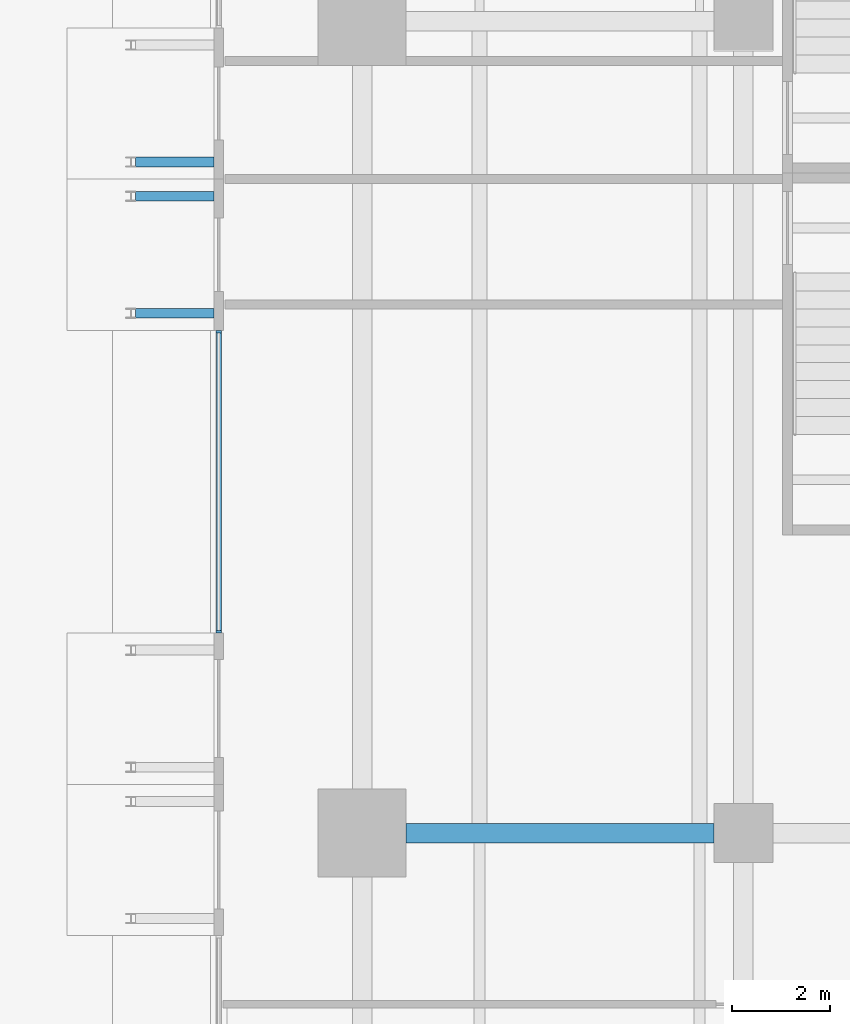
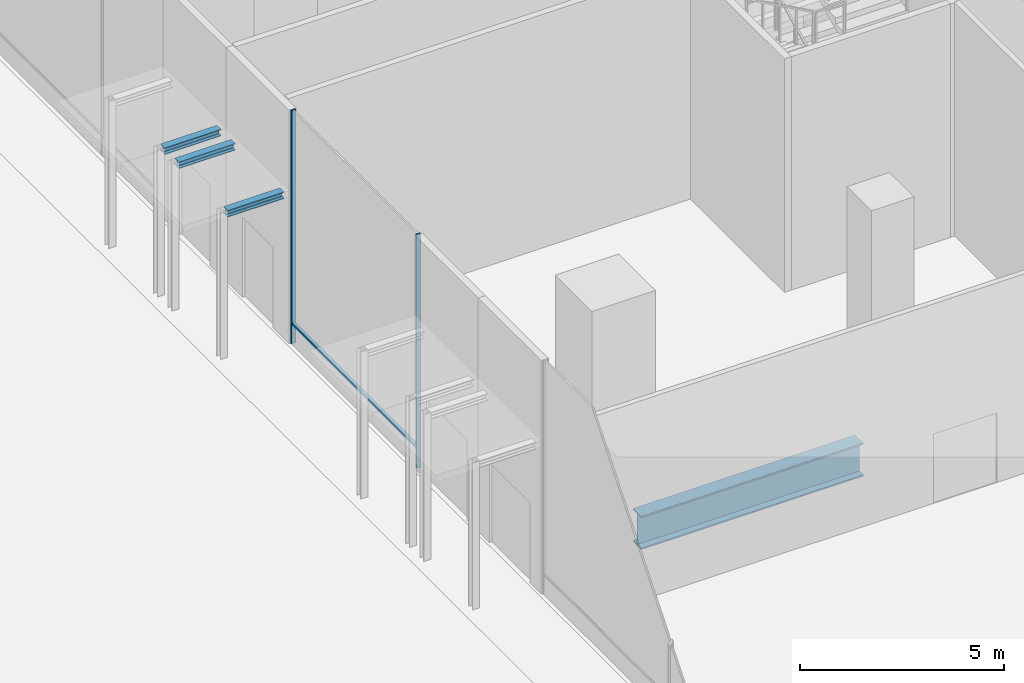
# One storey, part 16 of 41: 4 beams, 3 members, 1 element without a shape of its own.
"""IFC4 building model written with IfcOpenShell, lengths in metres."""

import ifcopenshell
import ifcopenshell.guid

model = None  # the IFC model being written
_history = None  # IfcOwnerHistory: only IFC2X3 demands one
_inside = {}  # id of a spatial element -> (the spatial element, [elements in it])
_under = {}  # id of a project, library or spatial element -> (it, [spatial elements below it])
_declared = {}  # id of a project -> (the project, [libraries it declares])
_typed = {}  # id of a type object -> (the type object, [elements of that type])
_made_of = {}  # id of a material, layer set ... -> (it, [elements and type objects made of it])


def new_model(schema):
    """Start an empty IFC model of exactly this schema.

    Asked for "IFC4X3", IfcOpenShell would pick the latest addendum, in which some entities
    have other attributes; the version numbers below select the first issue.
    IFC2X3 requires an IfcOwnerHistory on every rooted entity: one is made here for all.
    """
    global model, _history
    if schema == "IFC4X3":
        model = ifcopenshell.file(schema_version=(4, 3, 0, 0))
    else:
        model = ifcopenshell.file(schema=schema)
    _inside.clear()
    _under.clear()
    _declared.clear()
    _typed.clear()
    _made_of.clear()
    _history = None
    if model.schema == "IFC2X3":
        org = make("IfcOrganization", Name="unknown")
        user = make(
            "IfcPersonAndOrganization",
            ThePerson=make("IfcPerson", FamilyName="unknown"),
            TheOrganization=org,
        )
        app = make(
            "IfcApplication",
            ApplicationDeveloper=org,
            Version="unknown",
            ApplicationFullName="unknown",
            ApplicationIdentifier="unknown",
        )
        _history = make(
            "IfcOwnerHistory",
            OwningUser=user,
            OwningApplication=app,
            ChangeAction="ADDED",
            CreationDate=0,
        )
    return model


def make(cls, **values):
    """One entity of the class cls with the attributes given. An attribute that is None is left unset."""
    return model.create_entity(
        cls, **{name: value for name, value in values.items() if value is not None}
    )


def rooted(cls, **values):
    """An entity with a GlobalId (a new one), such as an element, a storey or a relation."""
    return make(cls, GlobalId=ifcopenshell.guid.new(), OwnerHistory=_history, **values)


def si_unit(unit_type, name, prefix=None):
    """IfcSIUnit, for example si_unit("LENGTHUNIT", "METRE", prefix="MILLI")."""
    return make("IfcSIUnit", UnitType=unit_type, Prefix=prefix, Name=name)


def assignment(units):
    """IfcUnitAssignment: the units of a project."""
    return None if units is None else make("IfcUnitAssignment", Units=units)


def point(xyz):
    """IfcCartesianPoint."""
    return None if xyz is None else make("IfcCartesianPoint", Coordinates=xyz)


def direction(xyz):
    """IfcDirection."""
    return None if xyz is None else make("IfcDirection", DirectionRatios=xyz)


def frame(location, z_axis=None, x_axis=None):
    """IfcAxis2Placement3D, a coordinate frame: its origin and axes. An axis left out is left unset."""
    return make(
        "IfcAxis2Placement3D",
        Location=point(location),
        Axis=direction(z_axis),
        RefDirection=direction(x_axis),
    )


def frame_2d(location, x_axis=None):
    """IfcAxis2Placement2D, a coordinate frame in the plane: its origin and x axis."""
    return make(
        "IfcAxis2Placement2D", Location=point(location), RefDirection=direction(x_axis)
    )


def origin():
    """The frame at (0, 0, 0) with its axes left unset."""
    return frame((0.0, 0.0, 0.0))


def origin_2d():
    """The frame at (0, 0) in the plane with its x axis left unset."""
    return frame_2d((0.0, 0.0))


def place(relative_to, where):
    """IfcLocalPlacement: puts the frame where relative to a parent placement (None: the world)."""
    return make(
        "IfcLocalPlacement", PlacementRelTo=relative_to, RelativePlacement=where
    )


def context(
    kind, dimensions, precision=None, world=None, true_north=None, identifier=None
):
    """IfcGeometricRepresentationContext, for example the 3D "Model" context."""
    return make(
        "IfcGeometricRepresentationContext",
        ContextIdentifier=identifier,
        ContextType=kind,
        CoordinateSpaceDimension=dimensions,
        Precision=precision,
        WorldCoordinateSystem=world,
        TrueNorth=true_north,
    )


def subcontext(parent, identifier, kind, view, scale=None):
    """IfcGeometricRepresentationSubContext, for example "Body" below "Model"."""
    return make(
        "IfcGeometricRepresentationSubContext",
        ContextIdentifier=identifier,
        ContextType=kind,
        ParentContext=parent,
        TargetScale=scale,
        TargetView=view,
    )


def project(units=None, contexts=None):
    """IfcProject with its units and contexts."""
    return rooted(
        "IfcProject",
        Name="project",
        RepresentationContexts=contexts,
        UnitsInContext=assignment(units),
    )


def spatial(cls, under=None, at=None, **own):
    """A site, building, storey or space (cls), placed at a placement, below another one or the project."""
    s = rooted(cls, ObjectPlacement=at, **own)
    if under is not None:
        _under.setdefault(under.id(), (under, []))[1].append(s)
    return s


def profile(cls, at=None, kind="AREA", **sizes):
    """A parametric profile (cls). Its sizes go by their IFC names, for example OverallWidth=200.0."""
    return make(cls, ProfileType=kind, Position=at, **sizes)


def rectangle(**sizes):
    """IfcRectangleProfileDef."""
    return profile("IfcRectangleProfileDef", **sizes)


def i_section(**sizes):
    """IfcIShapeProfileDef."""
    return profile("IfcIShapeProfileDef", **sizes)


def extrude(swept, where, along, depth):
    """IfcExtrudedAreaSolid: the profile swept, set in the frame where, extruded along a direction by depth."""
    return make(
        "IfcExtrudedAreaSolid",
        SweptArea=swept,
        Position=where,
        ExtrudedDirection=direction(along),
        Depth=depth,
    )


def shape(context_of_items, identifier, shape_type, items):
    """IfcShapeRepresentation: the items that make up one representation, for example the "Body"."""
    return make(
        "IfcShapeRepresentation",
        ContextOfItems=context_of_items,
        RepresentationIdentifier=identifier,
        RepresentationType=shape_type,
        Items=items,
    )


def material(Name=None, Category=None):
    """IfcMaterial."""
    return make("IfcMaterial", Name=Name, Category=Category)


def layer(
    of_material, thickness, ventilated=None, Name=None, Category=None, Priority=None
):
    """IfcMaterialLayer: one layer of a wall or slab, of a material (None: an air gap)."""
    return make(
        "IfcMaterialLayer",
        Material=of_material,
        LayerThickness=thickness,
        IsVentilated=ventilated,
        Name=Name,
        Category=Category,
        Priority=Priority,
    )


def layer_set(layers, Name=None):
    """IfcMaterialLayerSet."""
    return make("IfcMaterialLayerSet", MaterialLayers=layers, LayerSetName=Name)


def material_profile(
    of_material, cross_section, Name=None, Category=None, Priority=None
):
    """IfcMaterialProfile: a cross section and its material."""
    return make(
        "IfcMaterialProfile",
        Name=Name,
        Material=of_material,
        Profile=cross_section,
        Priority=Priority,
        Category=Category,
    )


def profile_set(profiles, Name=None, composite=None):
    """IfcMaterialProfileSet."""
    return make(
        "IfcMaterialProfileSet",
        Name=Name,
        MaterialProfiles=profiles,
        CompositeProfile=composite,
    )


def made_of(thing, what):
    """Note that an element or type object is made of a material, layer set ...; save() writes the relation."""
    if what is not None:
        _made_of.setdefault(what.id(), (what, []))[1].append(thing)
    return thing


def type_object(cls, material=None, **own):
    """A type object (cls), such as IfcWallType, which elements share."""
    return made_of(rooted(cls, **own), material)


def element(
    cls,
    number,
    at=None,
    inside=None,
    cuts=None,
    type_object=None,
    material=None,
    context=None,
    identifier="Body",
    shape_type=None,
    held_by="IfcProductDefinitionShape",
    body=None,
    shapes=None,
    **own,
):
    """One element of the class cls, such as IfcWall. Its Tag is "e" and its number.

    at: its placement. inside: the storey or other place that contains it. cuts: it is an
    opening in that element (IfcRelVoidsElement). A single representation is given by context,
    identifier, shape_type and body (its items); several are given by shapes. held_by: the class
    of the entity that holds the representations. save() writes the other relations.
    """
    e = rooted(cls, Tag="e%d" % number, ObjectPlacement=at, **own)
    if body is not None:
        shapes = [shape(context, identifier, shape_type, body)]
    if shapes is not None:
        e.Representation = make(held_by, Representations=shapes)
    if inside is not None:
        _inside.setdefault(inside.id(), (inside, []))[1].append(e)
    if cuts is not None:
        rooted(
            "IfcRelVoidsElement", RelatingBuildingElement=cuts, RelatedOpeningElement=e
        )
    if type_object is not None:
        _typed.setdefault(type_object.id(), (type_object, []))[1].append(e)
    return made_of(e, material)


def aggregate(whole, parts):
    """IfcRelAggregates: a whole, such as a stair, and the parts it consists of."""
    return rooted("IfcRelAggregates", RelatingObject=whole, RelatedObjects=parts)


def save(model, path):
    """Write the relations noted so far, then the file.

    IfcRelAggregates (storeys below a building ...), IfcRelContainedInSpatialStructure (elements
    in a storey), IfcRelDefinesByType, IfcRelAssociatesMaterial and IfcRelDeclares: one each for
    every whole, place, type object, material and project.
    """
    for whole, parts in _under.values():
        aggregate(whole, parts)
    for where, things in _inside.values():
        rooted(
            "IfcRelContainedInSpatialStructure",
            RelatedElements=things,
            RelatingStructure=where,
        )
    for kind, things in _typed.values():
        rooted("IfcRelDefinesByType", RelatedObjects=things, RelatingType=kind)
    for what, things in _made_of.values():
        rooted("IfcRelAssociatesMaterial", RelatedObjects=things, RelatingMaterial=what)
    for by, libraries in _declared.values():
        rooted("IfcRelDeclares", RelatingContext=by, RelatedDefinitions=libraries)
    model.write(path)


model = new_model("IFC4")

# Units and contexts
model_context = context("Model", 3, precision=1e-05, world=origin(), true_north=direction((0.0, 1.0)))
body_context = subcontext(model_context, "Body", "Model", "MODEL_VIEW")
ifc_project = project(units=[si_unit("LENGTHUNIT", "METRE"), si_unit("AREAUNIT", "SQUARE_METRE"), si_unit("VOLUMEUNIT", "CUBIC_METRE"), si_unit("PLANEANGLEUNIT", "RADIAN"), si_unit("MASSUNIT", "GRAM", prefix="KILO")], contexts=[model_context])

# Site, building, storey
site_placement = place(None, origin())
site = spatial("IfcSite", under=ifc_project, at=site_placement, CompositionType="ELEMENT")
building_placement = place(site_placement, origin())
building = spatial("IfcBuilding", under=site, at=building_placement, Name="Rattan Terrace Tower", CompositionType="ELEMENT")
storey_placement = place(building_placement, origin())
storey = spatial("IfcBuildingStorey", under=building, at=storey_placement, Name="L00", CompositionType="ELEMENT", Elevation=0.0)

# Beams
ifc_material_1 = material(Name="Structural steel S355", Category="steel")
ifc_material_profile_1 = material_profile(ifc_material_1, i_section(OverallWidth=0.199951171875, OverallDepth=0.199951171875, WebThickness=0.009033203125, FlangeThickness=0.014892578125, FilletRadius=0.01806640625, at=origin_2d()), Name="HE 200 B")
ifc_profile_set_1 = profile_set([ifc_material_profile_1], Name="Structural steel S355")
beam_type_1 = type_object("IfcBeamType", Name="Canopy beam HE 200 B", PredefinedType="BEAM", material=ifc_profile_set_1)
for number, where, z_axis, x_axis, name in (
    (1, (-36.929931640625, 0.22412109375, 4.300048828125), (-1.0, 0.0, 0.0), (0.0, -1.0, 0.0), "Canopy beam 021b"),
    (2, (-36.929931640625, -0.47607421875, 4.300048828125), (-1.0, 0.0, 0.0), (0.0, -1.0, 0.0), "Canopy beam 026a"),
    (3, (-36.929931640625, -2.8701171875, 4.300048828125), (-1.0, 0.0, 0.0), (0.0, -1.0, 0.0), "Canopy beam 026b"),
):
    element("IfcBeam", number, at=place(storey_placement, frame(where, z_axis=z_axis, x_axis=x_axis)), inside=storey, type_object=beam_type_1, Name=name, PredefinedType="BEAM", context=body_context, shape_type="SweptSolid", body=[
        extrude(i_section(OverallWidth=0.199951171875, OverallDepth=0.199951171875, WebThickness=0.009033203125, FlangeThickness=0.014892578125, FilletRadius=0.01806640625, at=origin_2d()), origin(), (0.0, 0.0, 1.0), 1.60009765625),
    ])
ifc_material_2 = material(Name="Steel S460", Category="steel")
ifc_material_profile_2 = material_profile(ifc_material_2, i_section(OverallWidth=0.39990234375, OverallDepth=1.0, WebThickness=0.01806640625, FlangeThickness=0.044921875, at=origin_2d()), Name="PG 1000x400-18-45")
ifc_profile_set_2 = profile_set([ifc_material_profile_2], Name="Steel S460")
beam_type_2 = type_object("IfcBeamType", Name="Frame podium girder PG 1000x400-18-45", PredefinedType="USERDEFINED", material=ifc_profile_set_2)
beam_placement = place(storey_placement, frame((-33.0, -13.5, -0.699951171875), z_axis=(1.0, 0.0, 0.0), x_axis=(0.0, 1.0, 0.0)))
element("IfcBeam", 4, at=beam_placement, inside=storey, type_object=beam_type_2, Name="gdr-L00-027", ObjectType="PODIUM GIRDER", PredefinedType="USERDEFINED", context=body_context, shape_type="SweptSolid", body=[
    extrude(i_section(OverallWidth=0.39990234375, OverallDepth=1.0, WebThickness=0.01806640625, FlangeThickness=0.044921875, at=origin_2d()), origin(), (0.0, 0.0, 1.0), 6.300048828125),
])

# Curtain wall, members
ifc_material_3 = material(Name="Aluminium and glass", Category="aluminium")
ifc_layer = layer(ifc_material_3, 0.1201171875)
ifc_layer_set = layer_set([ifc_layer], Name="Station Storefront Curtain Wall")
curtain_wall_type = type_object("IfcCurtainWallType", Name="Station Storefront Curtain Wall", PredefinedType="NOTDEFINED", material=ifc_layer_set)
curtain_wall_placement = place(storey_placement, origin())
curtain_wall = element("IfcCurtainWall", 5, at=curtain_wall_placement, inside=storey, type_object=curtain_wall_type, Name="Storefront curtain wall L00-7", PredefinedType="NOTDEFINED")
ifc_material_4 = material(Name="Aluminium", Category="aluminium")
ifc_material_profile_3 = material_profile(ifc_material_4, rectangle(XDim=0.050048828125, YDim=0.1201171875, at=origin_2d()), Name="Aluminium 50x120")
ifc_profile_set_3 = profile_set([ifc_material_profile_3], Name="Aluminium")
member_type_1 = type_object("IfcMemberType", Name="Storefront CW Mullion 50x120", PredefinedType="MULLION", material=ifc_profile_set_3)
member_1_placement = place(storey_placement, frame((-36.830078125, -3.2451171875, 0.0), z_axis=(0.0, 0.0, 1.0), x_axis=(0.0, -1.0, 0.0)))
member_1 = element("IfcMember", 6, at=member_1_placement, type_object=member_type_1, Name="Mullion cwl-L00-007.1", PredefinedType="MULLION", context=body_context, shape_type="SweptSolid", body=[
    extrude(rectangle(XDim=0.050048828125, YDim=0.1201171875, at=origin_2d()), origin(), (0.0, 0.0, 1.0), 7.0),
])
member_2_placement = place(storey_placement, frame((-36.830078125, -9.383056640625, 0.0), z_axis=(0.0, 0.0, 1.0), x_axis=(0.0, -1.0, 0.0)))
member_2 = element("IfcMember", 7, at=member_2_placement, type_object=member_type_1, Name="Mullion cwl-L00-007.2", PredefinedType="MULLION", context=body_context, shape_type="SweptSolid", body=[
    extrude(rectangle(XDim=0.050048828125, YDim=0.1201171875, at=origin_2d()), origin(), (0.0, 0.0, 1.0), 7.0),
])
ifc_material_5 = material(Name="Aluminium", Category="aluminium")
ifc_material_profile_4 = material_profile(ifc_material_5, rectangle(XDim=0.10009765625, YDim=0.050048828125, at=origin_2d()), Name="Aluminium 100x50")
ifc_profile_set_4 = profile_set([ifc_material_profile_4], Name="Aluminium")
member_type_2 = type_object("IfcMemberType", Name="Storefront CW Transom 100x50", PredefinedType="USERDEFINED", material=ifc_profile_set_4)
member_3_placement = place(storey_placement, frame((-36.830078125, -3.27001953125, 0.60009765625), z_axis=(0.0, -1.0, 0.0), x_axis=(1.0, 0.0, 0.0)))
member_3 = element("IfcMember", 8, at=member_3_placement, type_object=member_type_2, Name="Transom cwl-L00-007.1", ObjectType="TRANSOM", PredefinedType="USERDEFINED", context=body_context, shape_type="SweptSolid", body=[
    extrude(rectangle(XDim=0.10009765625, YDim=0.050048828125, at=origin_2d()), origin(), (0.0, 0.0, 1.0), 6.087890625),
])
aggregate(curtain_wall, [member_1, member_2, member_3])

save(model, "model.ifc")
